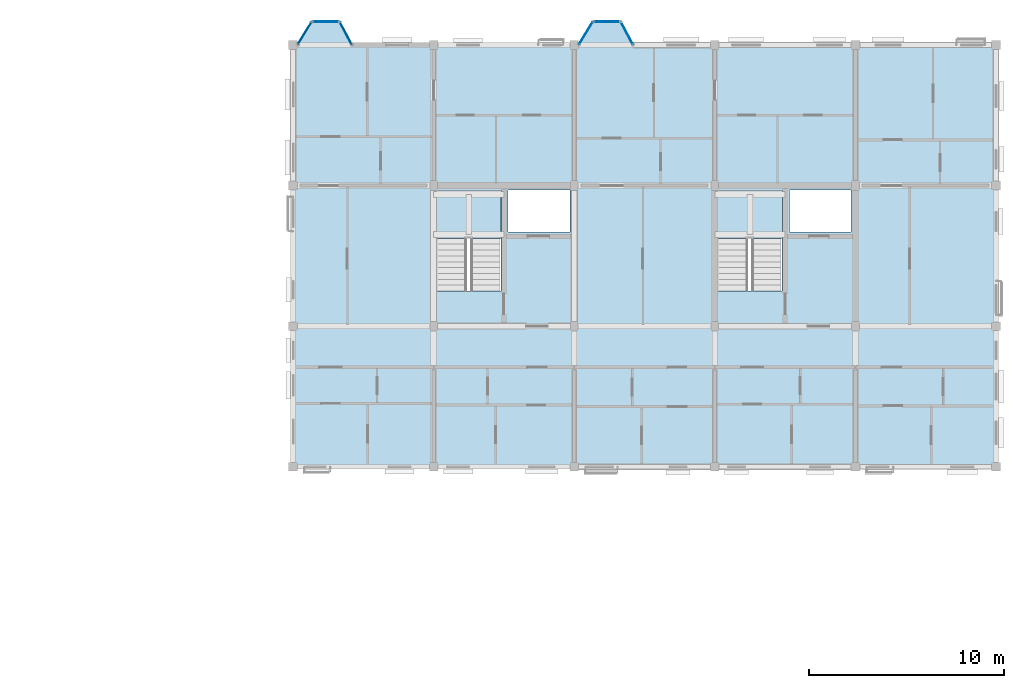
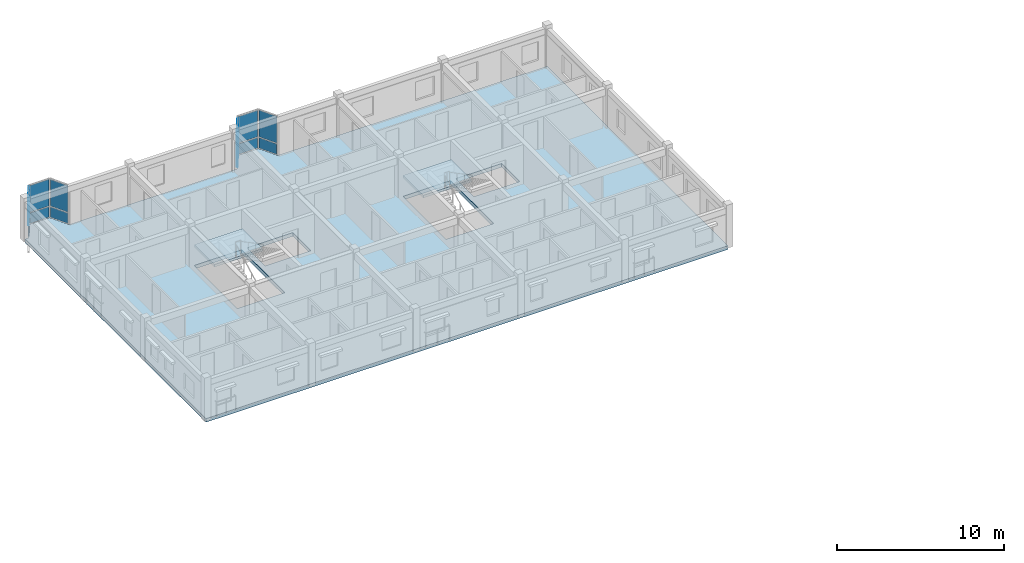
# One storey, part 15 of 28: 12 plates, 3 slabs, 8 elements without a shape of their own.
"""IFC4 building model written with IfcOpenShell, lengths in metres."""

from ifc_helpers import new_model, si_unit, direction, frame, origin, origin_2d, place, context, subcontext, project, spatial, polyline, rectangle, outline, extrude, material, layer, layer_set, type_object, element, aggregate, save


model = new_model("IFC4")

# Units and contexts
model_context = context("Model", 3, precision=1e-05, world=origin(), true_north=direction((0.0, 1.0)))
body_context = subcontext(model_context, "Body", "Model", "MODEL_VIEW")
ifc_project = project(units=[si_unit("LENGTHUNIT", "METRE"), si_unit("AREAUNIT", "SQUARE_METRE"), si_unit("VOLUMEUNIT", "CUBIC_METRE"), si_unit("PLANEANGLEUNIT", "RADIAN"), si_unit("MASSUNIT", "GRAM", prefix="KILO"), si_unit("THERMODYNAMICTEMPERATUREUNIT", "KELVIN"), si_unit("POWERUNIT", "WATT")], contexts=[model_context])

# Site, building, storey
site_placement = place(None, origin())
site = spatial("IfcSite", under=ifc_project, at=site_placement, CompositionType="ELEMENT")
building_placement = place(site_placement, origin())
building = spatial("IfcBuilding", under=site, at=building_placement, Name="Tavuni Mirador Residences", CompositionType="ELEMENT")
storey_placement = place(building_placement, frame((0.0, 0.0, 39.14990234375)))
storey = spatial("IfcBuildingStorey", under=building, at=storey_placement, Name="L12", CompositionType="ELEMENT", Elevation=39.14990234375)

# Curtain wall, plate
ifc_material_1 = material(Name="Anodised aluminium", Category="aluminium")
ifc_layer_1 = layer(ifc_material_1, 0.1650390625, Name="Anodised aluminium", Category="aluminium")
ifc_layer_set_1 = layer_set([ifc_layer_1], Name="Anodised aluminium")
curtain_wall_type_1 = type_object("IfcCurtainWallType", Name="CWT-MIR-A", PredefinedType="NOTDEFINED", material=ifc_layer_set_1)
curtain_wall_1_placement = place(storey_placement, origin())
curtain_wall_1 = element("IfcCurtainWall", 1, at=curtain_wall_1_placement, inside=storey, type_object=curtain_wall_type_1, Name="CW-MIR-C-N2-L12-M1", PredefinedType="NOTDEFINED")
ifc_material_2 = material(Name="Laminated solar-control glass", Category="glass")
ifc_layer_2 = layer(ifc_material_2, 0.02392578125, Name="Laminated solar-control glass", Category="glass")
ifc_layer_set_2 = layer_set([ifc_layer_2], Name="Laminated solar-control glass")
plate_type_1 = type_object("IfcPlateType", Name="CWP-GL24", PredefinedType="CURTAIN_PANEL", material=ifc_layer_set_2)
plate_1_placement = place(storey_placement, frame((35.10009765625, 173.39990234375, 0.8798828125), z_axis=(0.0, 0.0, 1.0), x_axis=(-0.470588235296, 0.882352941175, 0.0)))
plate_1 = element("IfcPlate", 2, at=plate_1_placement, type_object=plate_type_1, Name="CW-01 panel 1.2", PredefinedType="CURTAIN_PANEL", context=body_context, shape_type="SweptSolid", body=[
    extrude(rectangle(XDim=1.239990234375, YDim=0.02392578125, at=origin_2d()), origin(), (0.0, 0.0, 1.0), 1.945068359375),
])

curtain_wall_2_placement = place(storey_placement, origin())
curtain_wall_2 = element("IfcCurtainWall", 3, at=curtain_wall_2_placement, inside=storey, type_object=curtain_wall_type_1, Name="CW-MIR-C-N1-L12-MF", PredefinedType="NOTDEFINED")
plate_2_placement = place(storey_placement, frame((19.669921875, 174.0, 0.8798828125), z_axis=(0.0, 0.0, 1.0), x_axis=(-1.0, 0.0, 0.0)))
plate_2 = element("IfcPlate", 4, at=plate_2_placement, type_object=plate_type_1, Name="CW-01 panel 1.2", PredefinedType="CURTAIN_PANEL", context=body_context, shape_type="SweptSolid", body=[
    extrude(rectangle(XDim=1.300048828125, YDim=0.02392578125, at=origin_2d()), origin(), (0.0, 0.0, 1.0), 1.945068359375),
])

ifc_layer_3 = layer(ifc_material_1, 0.14990234375, Name="Anodised aluminium", Category="aluminium")
ifc_layer_set_3 = layer_set([ifc_layer_3], Name="Anodised aluminium")
curtain_wall_type_2 = type_object("IfcCurtainWallType", Name="CWT-MIR-B", PredefinedType="NOTDEFINED", material=ifc_layer_set_3)
curtain_wall_3_placement = place(storey_placement, origin())
curtain_wall_3 = element("IfcCurtainWall", 5, at=curtain_wall_3_placement, inside=storey, type_object=curtain_wall_type_2, Name="CW-MIR-C-N2-L12-MF", PredefinedType="NOTDEFINED")
ifc_layer_4 = layer(ifc_material_2, 0.028076171875, Name="Laminated solar-control glass", Category="glass")
ifc_layer_set_4 = layer_set([ifc_layer_4], Name="Laminated solar-control glass")
plate_type_2 = type_object("IfcPlateType", Name="CWP-GL28", PredefinedType="CURTAIN_PANEL", material=ifc_layer_set_4)
plate_3_placement = place(storey_placement, frame((34.070068359375, 174.0, 0.882568359375), z_axis=(0.0, 0.0, 1.0), x_axis=(-1.0, 0.0, 0.0)))
plate_3 = element("IfcPlate", 6, at=plate_3_placement, type_object=plate_type_2, Name="CW-02 panel 1.2", PredefinedType="CURTAIN_PANEL", context=body_context, shape_type="SweptSolid", body=[
    extrude(rectangle(XDim=1.2900390625, YDim=0.028076171875, at=origin_2d()), origin(), (0.0, 0.0, 1.0), 1.9375),
])

curtain_wall_4_placement = place(storey_placement, origin())
curtain_wall_4 = element("IfcCurtainWall", 7, at=curtain_wall_4_placement, inside=storey, type_object=curtain_wall_type_2, Name="CW-MIR-C-N1-L12-M2", PredefinedType="NOTDEFINED")
plate_4_placement = place(storey_placement, frame((18.592529296875, 173.39990234375, 0.882568359375), z_axis=(0.0, 0.0, 1.0), x_axis=(-0.522312079088, -0.852754414845, 0.0)))
plate_4 = element("IfcPlate", 8, at=plate_4_placement, type_object=plate_type_2, Name="CW-02 panel 1.2", PredefinedType="CURTAIN_PANEL", context=body_context, shape_type="SweptSolid", body=[
    extrude(rectangle(XDim=1.277099609375, YDim=0.028076171875, at=origin_2d()), origin(), (0.0, 0.0, 1.0), 1.9375),
])

ifc_layer_5 = layer(ifc_material_1, 0.175048828125, Name="Anodised aluminium", Category="aluminium")
ifc_layer_set_5 = layer_set([ifc_layer_5], Name="Anodised aluminium")
curtain_wall_type_3 = type_object("IfcCurtainWallType", Name="CWT-MIR-C", PredefinedType="NOTDEFINED", material=ifc_layer_set_5)
curtain_wall_5_placement = place(storey_placement, origin())
curtain_wall_5 = element("IfcCurtainWall", 9, at=curtain_wall_5_placement, inside=storey, type_object=curtain_wall_type_3, Name="CW-MIR-C-N2-L12-M2", PredefinedType="NOTDEFINED")
ifc_layer_6 = layer(ifc_material_2, 0.031982421875, Name="Laminated solar-control glass", Category="glass")
ifc_layer_set_6 = layer_set([ifc_layer_6], Name="Laminated solar-control glass")
plate_type_3 = type_object("IfcPlateType", Name="CWP-GL32", PredefinedType="CURTAIN_PANEL", material=ifc_layer_set_6)
plate_5_placement = place(storey_placement, frame((32.992431640625, 173.39990234375, 0.8798828125), z_axis=(0.0, 0.0, 1.0), x_axis=(-0.522312079088, -0.852754414845, 0.0)))
plate_5 = element("IfcPlate", 10, at=plate_5_placement, type_object=plate_type_3, Name="CW-03 panel 1.2", PredefinedType="CURTAIN_PANEL", context=body_context, shape_type="SweptSolid", body=[
    extrude(rectangle(XDim=1.287109375, YDim=0.031982421875, at=origin_2d()), origin(), (0.0, 0.0, 1.0), 1.945068359375),
])

ifc_layer_7 = layer(ifc_material_1, 0.159912109375, Name="Anodised aluminium", Category="aluminium")
ifc_layer_set_7 = layer_set([ifc_layer_7], Name="Anodised aluminium")
curtain_wall_type_4 = type_object("IfcCurtainWallType", Name="CWT-MIR-D", PredefinedType="NOTDEFINED", material=ifc_layer_set_7)
curtain_wall_6_placement = place(storey_placement, origin())
curtain_wall_6 = element("IfcCurtainWall", 11, at=curtain_wall_6_placement, inside=storey, type_object=curtain_wall_type_4, Name="CW-MIR-C-N1-L12-M1", PredefinedType="NOTDEFINED")
ifc_layer_8 = layer(ifc_material_2, 0.035888671875, Name="Laminated solar-control glass", Category="glass")
ifc_layer_set_8 = layer_set([ifc_layer_8], Name="Laminated solar-control glass")
plate_type_4 = type_object("IfcPlateType", Name="CWP-GL36", PredefinedType="CURTAIN_PANEL", material=ifc_layer_set_8)
plate_6_placement = place(storey_placement, frame((20.699951171875, 173.39990234375, 0.882568359375), z_axis=(0.0, 0.0, 1.0), x_axis=(-0.470588235296, 0.882352941175, 0.0)))
plate_6 = element("IfcPlate", 12, at=plate_6_placement, type_object=plate_type_4, Name="CW-04 panel 1.2", PredefinedType="CURTAIN_PANEL", context=body_context, shape_type="SweptSolid", body=[
    extrude(rectangle(XDim=1.22998046875, YDim=0.035888671875, at=origin_2d()), origin(), (0.0, 0.0, 1.0), 1.9375),
])

# Plate
ifc_material_3 = material(Name="Ceramic trencadis mosaic panel", Category="masonry")
ifc_layer_9 = layer(ifc_material_3, 0.0419921875, Name="Ceramic trencadis mosaic panel", Category="masonry")
ifc_layer_set_9 = layer_set([ifc_layer_9], Name="Ceramic trencadis mosaic panel")
plate_type_5 = type_object("IfcPlateType", Name="CWP-SP42", PredefinedType="CURTAIN_PANEL", material=ifc_layer_set_9)
plate_7_placement = place(storey_placement, frame((35.10009765625, 173.39990234375, 0.06005859375), z_axis=(0.0, 0.0, 1.0), x_axis=(-0.470588235296, 0.882352941175, 0.0)))
plate_7 = element("IfcPlate", 13, at=plate_7_placement, type_object=plate_type_5, Name="CW-01 panel 1.1", PredefinedType="CURTAIN_PANEL", context=body_context, shape_type="SweptSolid", body=[
    extrude(rectangle(XDim=1.239990234375, YDim=0.0419921875, at=origin_2d()), origin(), (0.0, 0.0, 1.0), 0.760009765625),
])

aggregate(curtain_wall_1, [plate_7, plate_1])

plate_8_placement = place(storey_placement, frame((32.992431640625, 173.39990234375, 0.06005859375), z_axis=(0.0, 0.0, 1.0), x_axis=(-0.522312079088, -0.852754414845, 0.0)))
plate_8 = element("IfcPlate", 14, at=plate_8_placement, type_object=plate_type_5, Name="CW-03 panel 1.1", PredefinedType="CURTAIN_PANEL", context=body_context, shape_type="SweptSolid", body=[
    extrude(rectangle(XDim=1.287109375, YDim=0.0419921875, at=origin_2d()), origin(), (0.0, 0.0, 1.0), 0.760009765625),
])

aggregate(curtain_wall_5, [plate_8, plate_5])

plate_9_placement = place(storey_placement, frame((19.669921875, 174.0, 0.06005859375), z_axis=(0.0, 0.0, 1.0), x_axis=(-1.0, 0.0, 0.0)))
plate_9 = element("IfcPlate", 15, at=plate_9_placement, type_object=plate_type_5, Name="CW-01 panel 1.1", PredefinedType="CURTAIN_PANEL", context=body_context, shape_type="SweptSolid", body=[
    extrude(rectangle(XDim=1.300048828125, YDim=0.0419921875, at=origin_2d()), origin(), (0.0, 0.0, 1.0), 0.760009765625),
])

aggregate(curtain_wall_2, [plate_9, plate_2])

ifc_layer_10 = layer(ifc_material_3, 0.048095703125, Name="Ceramic trencadis mosaic panel", Category="masonry")
ifc_layer_set_10 = layer_set([ifc_layer_10], Name="Ceramic trencadis mosaic panel")
plate_type_6 = type_object("IfcPlateType", Name="CWP-SP48", PredefinedType="CURTAIN_PANEL", material=ifc_layer_set_10)
plate_10_placement = place(storey_placement, frame((34.070068359375, 174.0, 0.065185546875), z_axis=(0.0, 0.0, 1.0), x_axis=(-1.0, 0.0, 0.0)))
plate_10 = element("IfcPlate", 16, at=plate_10_placement, type_object=plate_type_6, Name="CW-02 panel 1.1", PredefinedType="CURTAIN_PANEL", context=body_context, shape_type="SweptSolid", body=[
    extrude(rectangle(XDim=1.2900390625, YDim=0.048095703125, at=origin_2d()), origin(), (0.0, 0.0, 1.0), 0.75244140625),
])

aggregate(curtain_wall_3, [plate_10, plate_3])

plate_11_placement = place(storey_placement, frame((20.699951171875, 173.39990234375, 0.065185546875), z_axis=(0.0, 0.0, 1.0), x_axis=(-0.470588235296, 0.882352941175, 0.0)))
plate_11 = element("IfcPlate", 17, at=plate_11_placement, type_object=plate_type_6, Name="CW-04 panel 1.1", PredefinedType="CURTAIN_PANEL", context=body_context, shape_type="SweptSolid", body=[
    extrude(rectangle(XDim=1.22998046875, YDim=0.048095703125, at=origin_2d()), origin(), (0.0, 0.0, 1.0), 0.75244140625),
])

aggregate(curtain_wall_6, [plate_11, plate_6])

plate_12_placement = place(storey_placement, frame((18.592529296875, 173.39990234375, 0.065185546875), z_axis=(0.0, 0.0, 1.0), x_axis=(-0.522312079088, -0.852754414845, 0.0)))
plate_12 = element("IfcPlate", 18, at=plate_12_placement, type_object=plate_type_6, Name="CW-02 panel 1.1", PredefinedType="CURTAIN_PANEL", context=body_context, shape_type="SweptSolid", body=[
    extrude(rectangle(XDim=1.277099609375, YDim=0.048095703125, at=origin_2d()), origin(), (0.0, 0.0, 1.0), 0.75244140625),
])

aggregate(curtain_wall_4, [plate_12, plate_4])

# Slab
ifc_material_4 = material(Name="Prestressed concrete C45/55", Category="concrete")
ifc_layer_11 = layer(ifc_material_4, 0.264892578125, Name="Prestressed concrete C45/55", Category="concrete")
ifc_layer_set_11 = layer_set([ifc_layer_11], Name="Prestressed concrete C45/55")
slab_type_1 = type_object("IfcSlabType", Name="SLT-FLR265", PredefinedType="FLOOR", material=ifc_layer_set_11)
slab_1_placement = place(storey_placement, frame((0.0, 0.0, -0.264892578125)))
element("IfcSlab", 19, at=slab_1_placement, inside=storey, type_object=slab_type_1, Name="SLB-BLK-C-L12", PredefinedType="FLOOR", context=body_context, shape_type="SweptSolid", body=[
    extrude(outline(polyline([(18.0, 151.199951171875), (54.0, 151.199951171875), (54.0, 172.800048828125), (35.419921875, 172.800048828125), (34.780029296875, 174.0), (33.360107421875, 174.0), (32.625, 172.800048828125), (21.02001953125, 172.800048828125), (20.3798828125, 174.0), (18.9599609375, 174.0), (18.22509765625, 172.800048828125), (18.0, 172.800048828125), (18.0, 151.199951171875)]), holes=[polyline([(25.360107421875, 160.2080078125), (28.639892578125, 160.2080078125), (28.639892578125, 165.360107421875), (25.360107421875, 165.360107421875), (25.360107421875, 160.2080078125)]), polyline([(29.02001953125, 163.219970703125), (32.179931640625, 163.219970703125), (32.179931640625, 165.3798828125), (29.02001953125, 165.3798828125), (29.02001953125, 163.219970703125)]), polyline([(39.760009765625, 160.2080078125), (43.0400390625, 160.2080078125), (43.0400390625, 165.360107421875), (39.760009765625, 165.360107421875), (39.760009765625, 160.2080078125)]), polyline([(43.419921875, 163.219970703125), (46.580078125, 163.219970703125), (46.580078125, 165.3798828125), (43.419921875, 165.3798828125), (43.419921875, 163.219970703125)])]), origin(), (0.0, 0.0, 1.0), 0.264892578125),
])

# Stair, slab
ifc_material_5 = material(Name="Precast concrete C40/50", Category="concrete")
stair_type = type_object("IfcStairType", Name="STT-TYP", PredefinedType="HALF_TURN_STAIR", material=ifc_material_5)
stair_1_placement = place(storey_placement, origin())
stair_1 = element("IfcStair", 20, at=stair_1_placement, inside=storey, type_object=stair_type, Name="Protected exit stair ST5 (L12)", PredefinedType="HALF_TURN_STAIR")
ifc_layer_12 = layer(ifc_material_5, 0.179931640625, Name="Precast concrete C40/50", Category="concrete")
ifc_layer_set_12 = layer_set([ifc_layer_12], Name="Precast concrete C40/50")
slab_type_2 = type_object("IfcSlabType", Name="SLT-LND180", PredefinedType="LANDING", material=ifc_layer_set_12)
slab_2_placement = place(storey_placement, frame((0.0, 0.0, 1.39501953125)))
slab_2 = element("IfcSlab", 21, at=slab_2_placement, type_object=slab_type_2, Name="ST5 landing 1", PredefinedType="LANDING", context=body_context, shape_type="SweptSolid", body=[
    extrude(outline(polyline([(25.340087890625, 162.89208984375), (28.659912109375, 162.89208984375), (28.659912109375, 165.300048828125), (25.340087890625, 165.300048828125), (25.340087890625, 162.89208984375)])), origin(), (0.0, 0.0, 1.0), 0.18017578125),
])
aggregate(stair_1, [slab_2])

stair_2_placement = place(storey_placement, origin())
stair_2 = element("IfcStair", 22, at=stair_2_placement, inside=storey, type_object=stair_type, Name="Protected exit stair ST6 (L12)", PredefinedType="HALF_TURN_STAIR")
slab_3_placement = place(storey_placement, frame((0.0, 0.0, 1.39501953125)))
slab_3 = element("IfcSlab", 23, at=slab_3_placement, type_object=slab_type_2, Name="ST6 landing 1", PredefinedType="LANDING", context=body_context, shape_type="SweptSolid", body=[
    extrude(outline(polyline([(39.739990234375, 162.89208984375), (43.06005859375, 162.89208984375), (43.06005859375, 165.300048828125), (39.739990234375, 165.300048828125), (39.739990234375, 162.89208984375)])), origin(), (0.0, 0.0, 1.0), 0.18017578125),
])
aggregate(stair_2, [slab_3])

save(model, "model.ifc")
